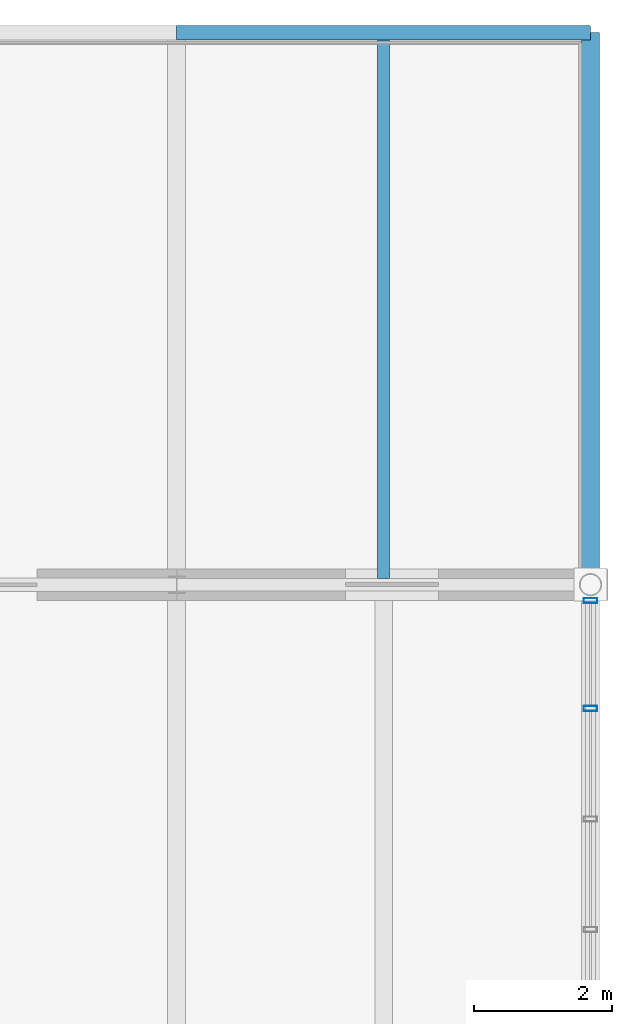
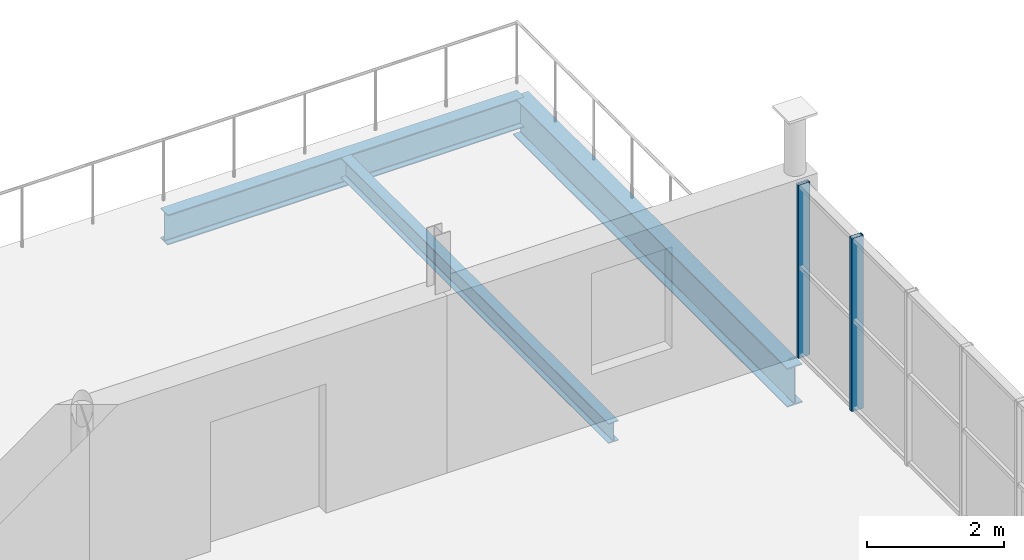
# One storey, part 21 of 30: 3 beams, 2 members, 1 element without a shape of its own.
"""IFC4 building model written with IfcOpenShell, lengths in metres."""

from ifc_helpers import new_model, si_unit, direction, frame, origin, origin_2d, place, context, subcontext, project, spatial, hollow_rectangle, i_section, extrude, material, material_profile, profile_set, type_object, element, aggregate, save


model = new_model("IFC4")

# Units and contexts
model_context = context("Model", 3, precision=1e-05, world=origin(), true_north=direction((0.0, 1.0)))
body_context = subcontext(model_context, "Body", "Model", "MODEL_VIEW")
ifc_project = project(units=[si_unit("LENGTHUNIT", "METRE"), si_unit("AREAUNIT", "SQUARE_METRE"), si_unit("VOLUMEUNIT", "CUBIC_METRE"), si_unit("PLANEANGLEUNIT", "RADIAN"), si_unit("MASSUNIT", "GRAM", prefix="KILO")], contexts=[model_context])

# Site, building, storey
site_placement = place(None, origin())
site = spatial("IfcSite", under=ifc_project, at=site_placement, CompositionType="ELEMENT")
building_placement = place(site_placement, origin())
building = spatial("IfcBuilding", under=site, at=building_placement, Name="Verrall Gate Interchange", CompositionType="ELEMENT")
storey_placement = place(building_placement, frame((0.0, 0.0, 19.39990234375)))
storey = spatial("IfcBuildingStorey", under=building, at=storey_placement, Name="L05", CompositionType="ELEMENT", Elevation=19.39990234375)

# Beams
ifc_material_1 = material(Name="Structural Steel CSA G40.21 350WT Cat 4", Category="steel")
ifc_material_profile_1 = material_profile(ifc_material_1, i_section(OverallWidth=0.256103515625, OverallDepth=0.693115234375, WebThickness=0.01318359375, FlangeThickness=0.02001953125, FilletRadius=0.01611328125, at=origin_2d()), Name="W690x170")
ifc_profile_set_1 = profile_set([ifc_material_profile_1], Name="Structural Steel CSA G40.21 350WT Cat 4")
beam_type_1 = type_object("IfcBeamType", Name="B-07 Structural Beam W690x170", PredefinedType="BEAM", material=ifc_profile_set_1)
beam_1_placement = place(storey_placement, frame((36.0, 66.0, -0.676513671875), z_axis=(0.0, 1.0, 0.0), x_axis=(-1.0, 0.0, 0.0)))
element("IfcBeam", 1, at=beam_1_placement, inside=storey, type_object=beam_type_1, Name="L05 Girder BM-L05-3003 (B-07)", PredefinedType="BEAM", context=body_context, shape_type="SweptSolid", body=[
    extrude(i_section(OverallWidth=0.256103515625, OverallDepth=0.693115234375, WebThickness=0.01318359375, FlangeThickness=0.02001953125, FilletRadius=0.01611328125, at=origin_2d()), origin(), (0.0, 0.0, 1.0), 8.0),
])
ifc_material_2 = material(Name="Structural Steel CSA G40.21 350W", Category="steel")
ifc_material_profile_2 = material_profile(ifc_material_2, i_section(OverallWidth=0.2109375, OverallDepth=0.5390625, WebThickness=0.01171875, FlangeThickness=0.018798828125, FilletRadius=0.013916015625, at=origin_2d()), Name="W530x109")
ifc_profile_set_2 = profile_set([ifc_material_profile_2], Name="Structural Steel CSA G40.21 350W")
beam_type_2 = type_object("IfcBeamType", Name="B-10 Structural Beam W530x109", PredefinedType="BEAM", material=ifc_profile_set_2)
beam_2_placement = place(storey_placement, frame((30.0, 74.0, -0.599365234375), z_axis=(1.0, 0.0, 0.0), x_axis=(0.0, 1.0, 0.0)))
element("IfcBeam", 2, at=beam_2_placement, inside=storey, type_object=beam_type_2, Name="L05 Girder BM-L05-2918 (B-10)", PredefinedType="BEAM", context=body_context, shape_type="SweptSolid", body=[
    extrude(i_section(OverallWidth=0.2109375, OverallDepth=0.5390625, WebThickness=0.01171875, FlangeThickness=0.018798828125, FilletRadius=0.013916015625, at=origin_2d()), origin(), (0.0, 0.0, 1.0), 6.0),
])

# Curtain wall, members
ifc_material_3 = material(Name="Thermally Broken Anodized Aluminium Curtain Wall Framing", Category="aluminium")
curtain_wall_type = type_object("IfcCurtainWallType", Name="CW-44 Unitized Curtain Wall 9612x3080", PredefinedType="NOTDEFINED", material=ifc_material_3)
curtain_wall_placement = place(storey_placement, origin())
curtain_wall = element("IfcCurtainWall", 3, at=curtain_wall_placement, inside=storey, type_object=curtain_wall_type, Name="L05 Unitized Curtain Wall CW-L05-137", PredefinedType="NOTDEFINED")
ifc_material_4 = material(Name="Thermally Broken Anodized Aluminium Curtain Wall Framing", Category="aluminium")
ifc_material_profile_3 = material_profile(ifc_material_4, hollow_rectangle(XDim=0.074951171875, YDim=0.199951171875, WallThickness=0.0048828125, InnerFilletRadius=0.0048828125, OuterFilletRadius=0.010009765625, at=origin_2d()), Name="CWM200x75x5")
ifc_profile_set_3 = profile_set([ifc_material_profile_3], Name="Thermally Broken Anodized Aluminium Curtain Wall Framing")
member_type = type_object("IfcMemberType", Name="CM-02 Curtain Mullion CWM200x75x5", PredefinedType="MULLION", material=ifc_profile_set_3)
member_1_placement = place(storey_placement, frame((36.0, 64.2041015625, 0.0), z_axis=(0.0, 0.0, 1.0), x_axis=(0.0, 1.0, 0.0)))
member_1 = element("IfcMember", 4, at=member_1_placement, type_object=member_type, Name="CW-L05-137 Mullion 6", PredefinedType="MULLION", context=body_context, shape_type="SweptSolid", body=[
    extrude(hollow_rectangle(XDim=0.074951171875, YDim=0.199951171875, WallThickness=0.0048828125, InnerFilletRadius=0.0048828125, OuterFilletRadius=0.010009765625, at=origin_2d()), origin(), (0.0, 0.0, 1.0), 3.080078125),
])
member_2_placement = place(storey_placement, frame((36.0, 65.7685546875, 0.0), z_axis=(0.0, 0.0, 1.0), x_axis=(0.0, 1.0, 0.0)))
member_2 = element("IfcMember", 5, at=member_2_placement, type_object=member_type, Name="CW-L05-137 Mullion 7", PredefinedType="MULLION", context=body_context, shape_type="SweptSolid", body=[
    extrude(hollow_rectangle(XDim=0.074951171875, YDim=0.199951171875, WallThickness=0.0048828125, InnerFilletRadius=0.0048828125, OuterFilletRadius=0.010009765625, at=origin_2d()), origin(), (0.0, 0.0, 1.0), 3.080078125),
])
aggregate(curtain_wall, [member_1, member_2])

# Beam
ifc_material_5 = material(Name="Structural Steel CSA G40.21 350W", Category="steel")
ifc_material_profile_4 = material_profile(ifc_material_5, i_section(OverallWidth=0.172119140625, OverallDepth=0.35791015625, WebThickness=0.0078125, FlangeThickness=0.01318359375, FilletRadius=0.010986328125, at=origin_2d()), Name="W360x57")
ifc_profile_set_4 = profile_set([ifc_material_profile_4], Name="Structural Steel CSA G40.21 350W")
beam_type_3 = type_object("IfcBeamType", Name="J-01 Floor Joist W360x57", PredefinedType="JOIST", material=ifc_profile_set_4)
beam_3_placement = place(storey_placement, frame((33.0, 66.089599609375, -0.5087890625), z_axis=(0.0, 1.0, 0.0), x_axis=(-1.0, 0.0, 0.0)))
element("IfcBeam", 6, at=beam_3_placement, inside=storey, type_object=beam_type_3, Name="L05 Secondary Floor Joist JST-L05-3051", PredefinedType="JOIST", context=body_context, shape_type="SweptSolid", body=[
    extrude(i_section(OverallWidth=0.172119140625, OverallDepth=0.35791015625, WebThickness=0.0078125, FlangeThickness=0.01318359375, FilletRadius=0.010986328125, at=origin_2d()), origin(), (0.0, 0.0, 1.0), 7.804931640625),
])

save(model, "model.ifc")
